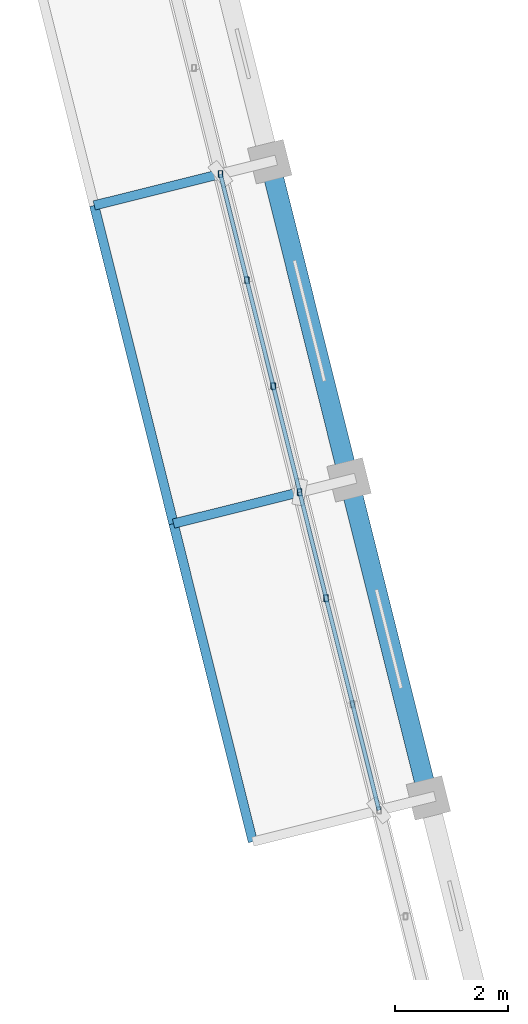
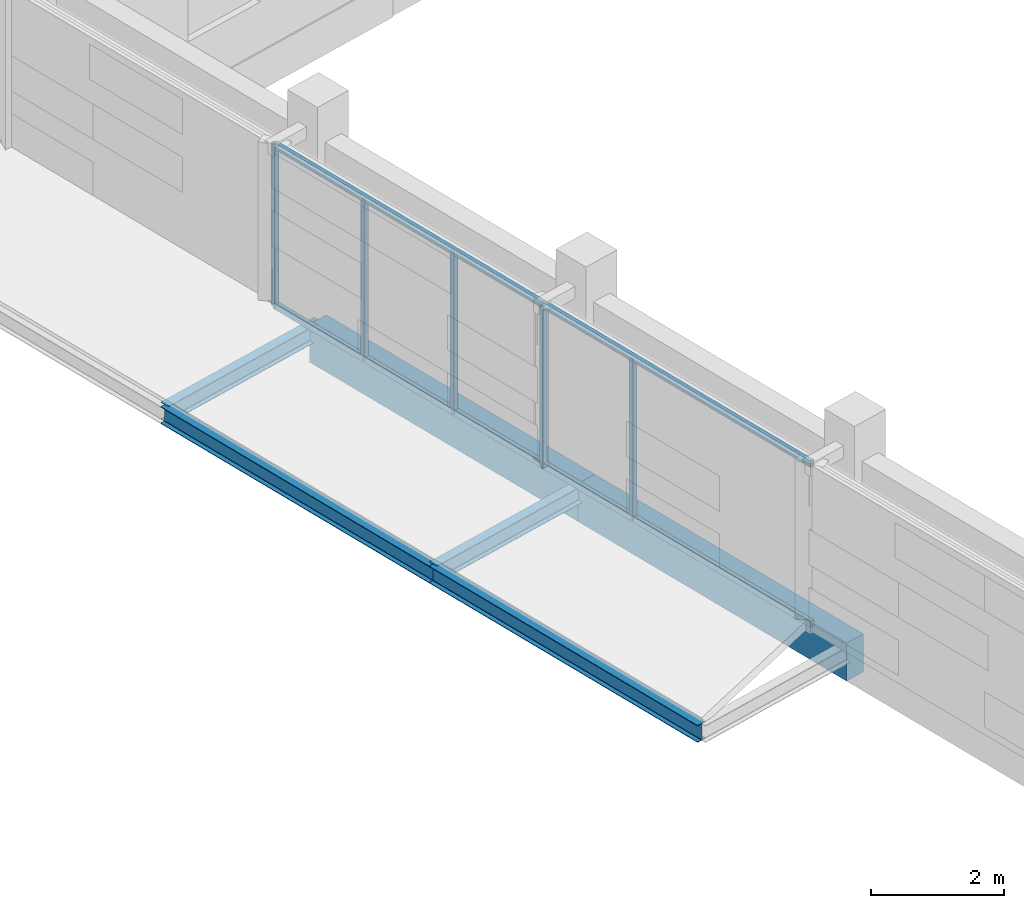
# One storey, part 16 of 137: 9 members, 6 beams.
"""IFC4 building model written with IfcOpenShell, lengths in metres."""

from ifc_helpers import new_model, si_unit, direction, frame, origin, origin_2d, place, context, subcontext, project, spatial, rectangle, hollow_rectangle, i_section, extrude, material, material_profile, profile_set, type_object, element, save


model = new_model("IFC4")

# Units and contexts
model_context = context("Model", 3, precision=1e-05, world=origin(), true_north=direction((0.0, 1.0)))
body_context = subcontext(model_context, "Body", "Model", "MODEL_VIEW")
ifc_project = project(units=[si_unit("LENGTHUNIT", "METRE"), si_unit("AREAUNIT", "SQUARE_METRE"), si_unit("VOLUMEUNIT", "CUBIC_METRE"), si_unit("PLANEANGLEUNIT", "RADIAN"), si_unit("MASSUNIT", "GRAM", prefix="KILO")], contexts=[model_context])

# Site, building, storey
site_placement = place(None, origin())
site = spatial("IfcSite", under=ifc_project, at=site_placement, CompositionType="ELEMENT")
building_placement = place(site_placement, origin())
building = spatial("IfcBuilding", under=site, at=building_placement, Name="Cinderway Yard Community Centre", CompositionType="ELEMENT")
storey_placement = place(building_placement, frame((0.0, 0.0, 4.800048828125)))
storey = spatial("IfcBuildingStorey", under=building, at=storey_placement, Name="L01", CompositionType="ELEMENT", Elevation=4.800048828125)

# Members
ifc_material_1 = material(Name="Steel S355", Category="steel")
ifc_material_profile_1 = material_profile(ifc_material_1, hollow_rectangle(XDim=0.080078125, YDim=0.1201171875, WallThickness=0.00634765625, InnerFilletRadius=0.00634765625, OuterFilletRadius=0.0126953125, at=origin_2d()), Name="Steel S355")
ifc_profile_set_1 = profile_set([ifc_material_profile_1], Name="Steel S355")
member_type = type_object("IfcMemberType", Name="ENV-MEM-SCREEN-RAIL-120", PredefinedType="STRINGER", material=ifc_profile_set_1)
for number, where, z_axis, x_axis, name in (
    (1, (13.323974609375, 47.409912109375, 0.7099609375), (-0.241931362474, 0.97029336587, 0.0), (-0.97029336587, -0.241931362474, 0.0), "Screen support rail 0765-BOT"),
    (2, (13.323974609375, 47.409912109375, 3.639892578125), (-0.241931362474, 0.97029336587, 0.0), (-0.97029336587, -0.241931362474, 0.0), "Screen support rail 0766-TOP"),
):
    element("IfcMember", number, at=place(storey_placement, frame(where, z_axis=z_axis, x_axis=x_axis)), inside=storey, type_object=member_type, Name=name, PredefinedType="STRINGER", context=body_context, shape_type="SweptSolid", body=[
        extrude(hollow_rectangle(XDim=0.080078125, YDim=0.1201171875, WallThickness=0.00634765625, InnerFilletRadius=0.00634765625, OuterFilletRadius=0.0126953125, at=origin_2d()), origin(), (0.0, 0.0, 1.0), 5.799560546875),
    ])
for number, where, z_axis, x_axis, name in (
    (3, (12.388916015625, 51.160888671875, 0.68994140625), (0.0, 0.0, 1.0), (1.0, 0.0, 0.0), "Screen vertical mullion 0768"),
    (4, (11.9208984375, 53.037109375, 0.68994140625), (0.0, 0.0, 1.0), (1.0, 0.0, 0.0), "Screen vertical mullion 0769"),
):
    element("IfcMember", number, at=place(storey_placement, frame(where, z_axis=z_axis, x_axis=x_axis)), inside=storey, type_object=member_type, Name=name, PredefinedType="STRINGER", context=body_context, shape_type="SweptSolid", body=[
        extrude(hollow_rectangle(XDim=0.080078125, YDim=0.1201171875, WallThickness=0.00634765625, InnerFilletRadius=0.00634765625, OuterFilletRadius=0.0126953125, at=origin_2d()), origin(), (0.0, 0.0, 1.0), 2.969970703125),
    ])
for number, where, z_axis, x_axis, name in (
    (5, (11.9208984375, 53.037109375, 0.7099609375), (-0.241862090534, 0.970310635396, 0.0), (-0.970310635396, -0.241862090534, 0.0), "Screen support rail 0771-BOT"),
    (6, (11.9208984375, 53.037109375, 3.639892578125), (-0.241862090534, 0.970310635396, 0.0), (-0.970310635396, -0.241862090534, 0.0), "Screen support rail 0772-TOP"),
):
    element("IfcMember", number, at=place(storey_placement, frame(where, z_axis=z_axis, x_axis=x_axis)), inside=storey, type_object=member_type, Name=name, PredefinedType="STRINGER", context=body_context, shape_type="SweptSolid", body=[
        extrude(hollow_rectangle(XDim=0.080078125, YDim=0.1201171875, WallThickness=0.00634765625, InnerFilletRadius=0.00634765625, OuterFilletRadius=0.0126953125, at=origin_2d()), origin(), (0.0, 0.0, 1.0), 5.800048828125),
    ])
for number, where, z_axis, x_axis, name in (
    (7, (11.452880859375, 54.9130859375, 0.68994140625), (0.0, 0.0, 1.0), (1.0, 0.0, 0.0), "Screen vertical mullion 0773"),
    (8, (10.986083984375, 56.7890625, 0.68994140625), (0.0, 0.0, 1.0), (1.0, 0.0, 0.0), "Screen vertical mullion 0774"),
    (9, (10.51806640625, 58.6650390625, 0.68994140625), (0.0, 0.0, 1.0), (1.0, 0.0, 0.0), "Screen vertical mullion 0775"),
):
    element("IfcMember", number, at=place(storey_placement, frame(where, z_axis=z_axis, x_axis=x_axis)), inside=storey, type_object=member_type, Name=name, PredefinedType="STRINGER", context=body_context, shape_type="SweptSolid", body=[
        extrude(hollow_rectangle(XDim=0.080078125, YDim=0.1201171875, WallThickness=0.00634765625, InnerFilletRadius=0.00634765625, OuterFilletRadius=0.0126953125, at=origin_2d()), origin(), (0.0, 0.0, 1.0), 2.969970703125),
    ])

# Beams
ifc_material_2 = material(Name="Concrete C35/45", Category="concrete")
ifc_material_profile_2 = material_profile(ifc_material_2, rectangle(XDim=0.35009765625, YDim=0.699951171875, at=origin_2d()), Name="Concrete C35/45")
ifc_profile_set_2 = profile_set([ifc_material_profile_2], Name="Concrete C35/45")
beam_type_1 = type_object("IfcBeamType", Name="STR-BM-RC350X700", PredefinedType="BEAM", material=ifc_profile_set_2)
beam_1_placement = place(storey_placement, frame((14.197021484375, 47.6279296875, -0.35009765625), z_axis=(-0.241941244896, 0.97029090175, 0.0), x_axis=(-0.97029090175, -0.241941244896, 0.0)))
element("IfcBeam", 10, at=beam_1_placement, inside=storey, type_object=beam_type_1, Name="Main Hall west ring beam STR-BM-L01-BG07-0067", PredefinedType="BEAM", context=body_context, shape_type="SweptSolid", body=[
    extrude(rectangle(XDim=0.35009765625, YDim=0.699951171875, at=origin_2d()), origin(), (0.0, 0.0, 1.0), 5.79931640625),
])
beam_2_placement = place(storey_placement, frame((12.7939453125, 53.2548828125, -0.35009765625), z_axis=(-0.241852212657, 0.970313097527, 0.0), x_axis=(-0.970313097527, -0.241852212657, 0.0)))
element("IfcBeam", 11, at=beam_2_placement, inside=storey, type_object=beam_type_1, Name="Main Hall west ring beam STR-BM-L01-BG07-0068", PredefinedType="BEAM", context=body_context, shape_type="SweptSolid", body=[
    extrude(rectangle(XDim=0.35009765625, YDim=0.699951171875, at=origin_2d()), origin(), (0.0, 0.0, 1.0), 5.80029296875),
])
ifc_material_profile_3 = material_profile(ifc_material_1, i_section(OverallWidth=0.166015625, OverallDepth=0.31298828125, WebThickness=0.006591796875, FlangeThickness=0.01123046875, FilletRadius=0.010009765625, at=origin_2d()), Name="Steel S355")
ifc_profile_set_3 = profile_set([ifc_material_profile_3], Name="Steel S355")
beam_type_2 = type_object("IfcBeamType", Name="STR-BM-W310X45", PredefinedType="SPANDREL", material=ifc_profile_set_3)
beam_3_placement = place(storey_placement, frame((9.68896484375, 52.48095703125, -0.156982421875), z_axis=(0.970312800845, 0.241853402947, 0.0), x_axis=(-0.241853402947, 0.970312800845, 0.0)))
element("IfcBeam", 12, at=beam_3_placement, inside=storey, type_object=beam_type_2, Name="Forecourt loggia tie STR-BM-L01-SS01-1156", PredefinedType="SPANDREL", context=body_context, shape_type="SweptSolid", body=[
    extrude(i_section(OverallWidth=0.166015625, OverallDepth=0.31298828125, WebThickness=0.006591796875, FlangeThickness=0.01123046875, FilletRadius=0.010009765625, at=origin_2d()), origin(), (0.0, 0.0, 1.0), 3.199951171875),
])
beam_4_placement = place(storey_placement, frame((8.285888671875, 58.10888671875, -0.156982421875), z_axis=(0.970299359004, 0.241907325057, 0.0), x_axis=(-0.241907325057, 0.970299359004, 0.0)))
element("IfcBeam", 13, at=beam_4_placement, inside=storey, type_object=beam_type_2, Name="Forecourt loggia tie STR-BM-L01-SS01-1157", PredefinedType="SPANDREL", context=body_context, shape_type="SweptSolid", body=[
    extrude(i_section(OverallWidth=0.166015625, OverallDepth=0.31298828125, WebThickness=0.006591796875, FlangeThickness=0.01123046875, FilletRadius=0.010009765625, at=origin_2d()), origin(), (0.0, 0.0, 1.0), 3.2001953125),
])
beam_5_placement = place(storey_placement, frame((11.092041015625, 46.85400390625, -0.156982421875), z_axis=(-0.241941244896, 0.97029090175, 0.0), x_axis=(-0.97029090175, -0.241941244896, 0.0)))
element("IfcBeam", 14, at=beam_5_placement, inside=storey, type_object=beam_type_2, Name="Forecourt loggia eave beam STR-BM-L01-SS01-1159", PredefinedType="SPANDREL", context=body_context, shape_type="SweptSolid", body=[
    extrude(i_section(OverallWidth=0.166015625, OverallDepth=0.31298828125, WebThickness=0.006591796875, FlangeThickness=0.01123046875, FilletRadius=0.010009765625, at=origin_2d()), origin(), (0.0, 0.0, 1.0), 5.79931640625),
])
beam_6_placement = place(storey_placement, frame((9.68896484375, 52.48095703125, -0.156982421875), z_axis=(-0.2419017199, 0.97030075642, 0.0), x_axis=(-0.97030075642, -0.2419017199, 0.0)))
element("IfcBeam", 15, at=beam_6_placement, inside=storey, type_object=beam_type_2, Name="Forecourt loggia eave beam STR-BM-L01-SS01-1160", PredefinedType="SPANDREL", context=body_context, shape_type="SweptSolid", body=[
    extrude(i_section(OverallWidth=0.166015625, OverallDepth=0.31298828125, WebThickness=0.006591796875, FlangeThickness=0.01123046875, FilletRadius=0.010009765625, at=origin_2d()), origin(), (0.0, 0.0, 1.0), 5.80029296875),
])

save(model, "model.ifc")
